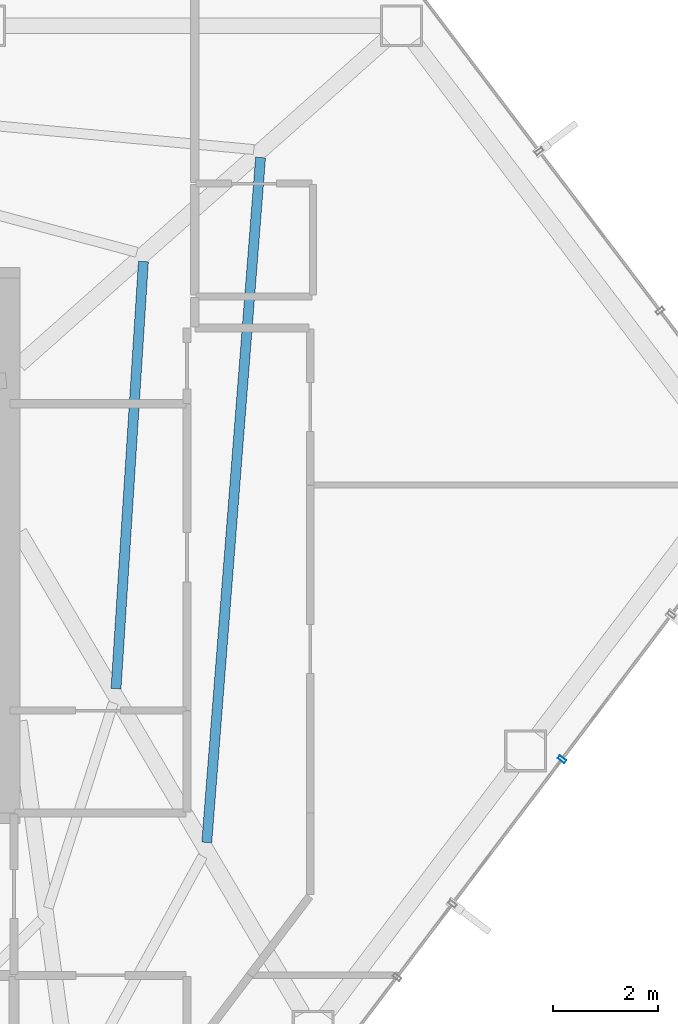
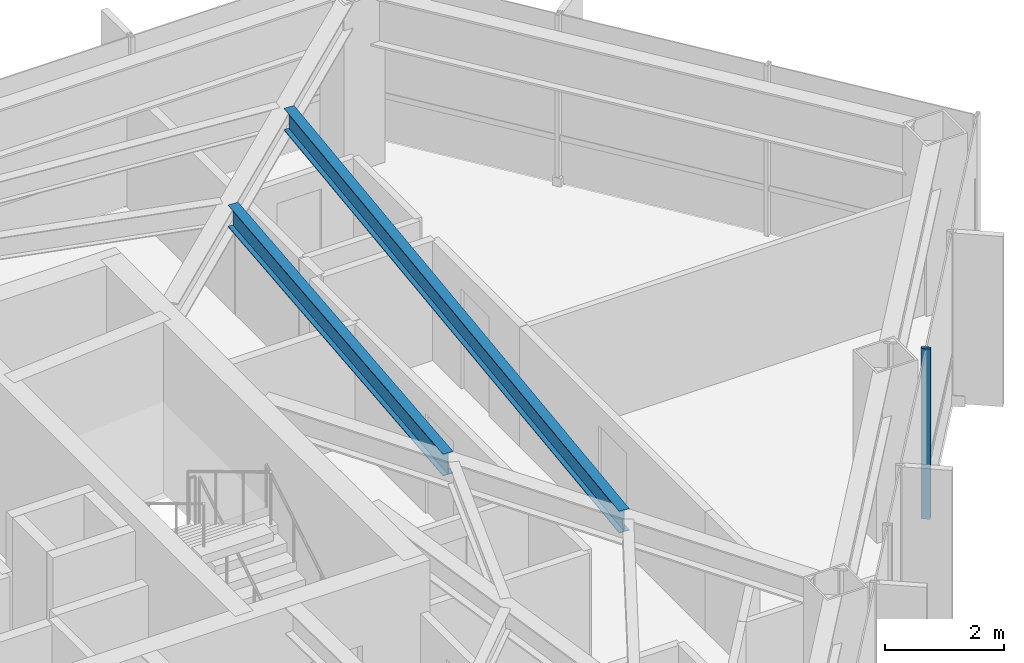
# One storey, part 20 of 28: 2 beams, 1 member, 1 element without a shape of its own.
"""IFC4 building model written with IfcOpenShell, lengths in metres."""

import ifcopenshell
import ifcopenshell.guid

model = None  # the IFC model being written
_history = None  # IfcOwnerHistory: only IFC2X3 demands one
_inside = {}  # id of a spatial element -> (the spatial element, [elements in it])
_under = {}  # id of a project, library or spatial element -> (it, [spatial elements below it])
_declared = {}  # id of a project -> (the project, [libraries it declares])
_typed = {}  # id of a type object -> (the type object, [elements of that type])
_made_of = {}  # id of a material, layer set ... -> (it, [elements and type objects made of it])


def new_model(schema):
    """Start an empty IFC model of exactly this schema.

    Asked for "IFC4X3", IfcOpenShell would pick the latest addendum, in which some entities
    have other attributes; the version numbers below select the first issue.
    IFC2X3 requires an IfcOwnerHistory on every rooted entity: one is made here for all.
    """
    global model, _history
    if schema == "IFC4X3":
        model = ifcopenshell.file(schema_version=(4, 3, 0, 0))
    else:
        model = ifcopenshell.file(schema=schema)
    _inside.clear()
    _under.clear()
    _declared.clear()
    _typed.clear()
    _made_of.clear()
    _history = None
    if model.schema == "IFC2X3":
        org = make("IfcOrganization", Name="unknown")
        user = make(
            "IfcPersonAndOrganization",
            ThePerson=make("IfcPerson", FamilyName="unknown"),
            TheOrganization=org,
        )
        app = make(
            "IfcApplication",
            ApplicationDeveloper=org,
            Version="unknown",
            ApplicationFullName="unknown",
            ApplicationIdentifier="unknown",
        )
        _history = make(
            "IfcOwnerHistory",
            OwningUser=user,
            OwningApplication=app,
            ChangeAction="ADDED",
            CreationDate=0,
        )
    return model


def make(cls, **values):
    """One entity of the class cls with the attributes given. An attribute that is None is left unset."""
    return model.create_entity(
        cls, **{name: value for name, value in values.items() if value is not None}
    )


def rooted(cls, **values):
    """An entity with a GlobalId (a new one), such as an element, a storey or a relation."""
    return make(cls, GlobalId=ifcopenshell.guid.new(), OwnerHistory=_history, **values)


def si_unit(unit_type, name, prefix=None):
    """IfcSIUnit, for example si_unit("LENGTHUNIT", "METRE", prefix="MILLI")."""
    return make("IfcSIUnit", UnitType=unit_type, Prefix=prefix, Name=name)


def assignment(units):
    """IfcUnitAssignment: the units of a project."""
    return None if units is None else make("IfcUnitAssignment", Units=units)


def point(xyz):
    """IfcCartesianPoint."""
    return None if xyz is None else make("IfcCartesianPoint", Coordinates=xyz)


def direction(xyz):
    """IfcDirection."""
    return None if xyz is None else make("IfcDirection", DirectionRatios=xyz)


def frame(location, z_axis=None, x_axis=None):
    """IfcAxis2Placement3D, a coordinate frame: its origin and axes. An axis left out is left unset."""
    return make(
        "IfcAxis2Placement3D",
        Location=point(location),
        Axis=direction(z_axis),
        RefDirection=direction(x_axis),
    )


def frame_2d(location, x_axis=None):
    """IfcAxis2Placement2D, a coordinate frame in the plane: its origin and x axis."""
    return make(
        "IfcAxis2Placement2D", Location=point(location), RefDirection=direction(x_axis)
    )


def origin():
    """The frame at (0, 0, 0) with its axes left unset."""
    return frame((0.0, 0.0, 0.0))


def origin_2d():
    """The frame at (0, 0) in the plane with its x axis left unset."""
    return frame_2d((0.0, 0.0))


def place(relative_to, where):
    """IfcLocalPlacement: puts the frame where relative to a parent placement (None: the world)."""
    return make(
        "IfcLocalPlacement", PlacementRelTo=relative_to, RelativePlacement=where
    )


def context(
    kind, dimensions, precision=None, world=None, true_north=None, identifier=None
):
    """IfcGeometricRepresentationContext, for example the 3D "Model" context."""
    return make(
        "IfcGeometricRepresentationContext",
        ContextIdentifier=identifier,
        ContextType=kind,
        CoordinateSpaceDimension=dimensions,
        Precision=precision,
        WorldCoordinateSystem=world,
        TrueNorth=true_north,
    )


def subcontext(parent, identifier, kind, view, scale=None):
    """IfcGeometricRepresentationSubContext, for example "Body" below "Model"."""
    return make(
        "IfcGeometricRepresentationSubContext",
        ContextIdentifier=identifier,
        ContextType=kind,
        ParentContext=parent,
        TargetScale=scale,
        TargetView=view,
    )


def project(units=None, contexts=None):
    """IfcProject with its units and contexts."""
    return rooted(
        "IfcProject",
        Name="project",
        RepresentationContexts=contexts,
        UnitsInContext=assignment(units),
    )


def spatial(cls, under=None, at=None, **own):
    """A site, building, storey or space (cls), placed at a placement, below another one or the project."""
    s = rooted(cls, ObjectPlacement=at, **own)
    if under is not None:
        _under.setdefault(under.id(), (under, []))[1].append(s)
    return s


def profile(cls, at=None, kind="AREA", **sizes):
    """A parametric profile (cls). Its sizes go by their IFC names, for example OverallWidth=200.0."""
    return make(cls, ProfileType=kind, Position=at, **sizes)


def hollow_rectangle(**sizes):
    """IfcRectangleHollowProfileDef."""
    return profile("IfcRectangleHollowProfileDef", **sizes)


def i_section(**sizes):
    """IfcIShapeProfileDef."""
    return profile("IfcIShapeProfileDef", **sizes)


def extrude(swept, where, along, depth):
    """IfcExtrudedAreaSolid: the profile swept, set in the frame where, extruded along a direction by depth."""
    return make(
        "IfcExtrudedAreaSolid",
        SweptArea=swept,
        Position=where,
        ExtrudedDirection=direction(along),
        Depth=depth,
    )


def shape(context_of_items, identifier, shape_type, items):
    """IfcShapeRepresentation: the items that make up one representation, for example the "Body"."""
    return make(
        "IfcShapeRepresentation",
        ContextOfItems=context_of_items,
        RepresentationIdentifier=identifier,
        RepresentationType=shape_type,
        Items=items,
    )


def material(Name=None, Category=None):
    """IfcMaterial."""
    return make("IfcMaterial", Name=Name, Category=Category)


def layer(
    of_material, thickness, ventilated=None, Name=None, Category=None, Priority=None
):
    """IfcMaterialLayer: one layer of a wall or slab, of a material (None: an air gap)."""
    return make(
        "IfcMaterialLayer",
        Material=of_material,
        LayerThickness=thickness,
        IsVentilated=ventilated,
        Name=Name,
        Category=Category,
        Priority=Priority,
    )


def layer_set(layers, Name=None):
    """IfcMaterialLayerSet."""
    return make("IfcMaterialLayerSet", MaterialLayers=layers, LayerSetName=Name)


def material_profile(
    of_material, cross_section, Name=None, Category=None, Priority=None
):
    """IfcMaterialProfile: a cross section and its material."""
    return make(
        "IfcMaterialProfile",
        Name=Name,
        Material=of_material,
        Profile=cross_section,
        Priority=Priority,
        Category=Category,
    )


def profile_set(profiles, Name=None, composite=None):
    """IfcMaterialProfileSet."""
    return make(
        "IfcMaterialProfileSet",
        Name=Name,
        MaterialProfiles=profiles,
        CompositeProfile=composite,
    )


def made_of(thing, what):
    """Note that an element or type object is made of a material, layer set ...; save() writes the relation."""
    if what is not None:
        _made_of.setdefault(what.id(), (what, []))[1].append(thing)
    return thing


def type_object(cls, material=None, **own):
    """A type object (cls), such as IfcWallType, which elements share."""
    return made_of(rooted(cls, **own), material)


def element(
    cls,
    number,
    at=None,
    inside=None,
    cuts=None,
    type_object=None,
    material=None,
    context=None,
    identifier="Body",
    shape_type=None,
    held_by="IfcProductDefinitionShape",
    body=None,
    shapes=None,
    **own,
):
    """One element of the class cls, such as IfcWall. Its Tag is "e" and its number.

    at: its placement. inside: the storey or other place that contains it. cuts: it is an
    opening in that element (IfcRelVoidsElement). A single representation is given by context,
    identifier, shape_type and body (its items); several are given by shapes. held_by: the class
    of the entity that holds the representations. save() writes the other relations.
    """
    e = rooted(cls, Tag="e%d" % number, ObjectPlacement=at, **own)
    if body is not None:
        shapes = [shape(context, identifier, shape_type, body)]
    if shapes is not None:
        e.Representation = make(held_by, Representations=shapes)
    if inside is not None:
        _inside.setdefault(inside.id(), (inside, []))[1].append(e)
    if cuts is not None:
        rooted(
            "IfcRelVoidsElement", RelatingBuildingElement=cuts, RelatedOpeningElement=e
        )
    if type_object is not None:
        _typed.setdefault(type_object.id(), (type_object, []))[1].append(e)
    return made_of(e, material)


def aggregate(whole, parts):
    """IfcRelAggregates: a whole, such as a stair, and the parts it consists of."""
    return rooted("IfcRelAggregates", RelatingObject=whole, RelatedObjects=parts)


def save(model, path):
    """Write the relations noted so far, then the file.

    IfcRelAggregates (storeys below a building ...), IfcRelContainedInSpatialStructure (elements
    in a storey), IfcRelDefinesByType, IfcRelAssociatesMaterial and IfcRelDeclares: one each for
    every whole, place, type object, material and project.
    """
    for whole, parts in _under.values():
        aggregate(whole, parts)
    for where, things in _inside.values():
        rooted(
            "IfcRelContainedInSpatialStructure",
            RelatedElements=things,
            RelatingStructure=where,
        )
    for kind, things in _typed.values():
        rooted("IfcRelDefinesByType", RelatedObjects=things, RelatingType=kind)
    for what, things in _made_of.values():
        rooted("IfcRelAssociatesMaterial", RelatedObjects=things, RelatingMaterial=what)
    for by, libraries in _declared.values():
        rooted("IfcRelDeclares", RelatingContext=by, RelatedDefinitions=libraries)
    model.write(path)


model = new_model("IFC4")

# Units and contexts
model_context = context("Model", 3, precision=1e-05, world=origin(), true_north=direction((0.0, 1.0)))
body_context = subcontext(model_context, "Body", "Model", "MODEL_VIEW")
ifc_project = project(units=[si_unit("LENGTHUNIT", "METRE"), si_unit("AREAUNIT", "SQUARE_METRE"), si_unit("VOLUMEUNIT", "CUBIC_METRE"), si_unit("PLANEANGLEUNIT", "RADIAN"), si_unit("MASSUNIT", "GRAM", prefix="KILO")], contexts=[model_context])

# Site, building, storey
site_placement = place(None, origin())
site = spatial("IfcSite", under=ifc_project, at=site_placement, CompositionType="ELEMENT")
building_placement = place(site_placement, origin())
building = spatial("IfcBuilding", under=site, at=building_placement, Name="Zarrinselat Tower", CompositionType="ELEMENT")
storey_placement = place(building_placement, frame((0.0, 0.0, 157.080078125)))
storey = spatial("IfcBuildingStorey", under=building, at=storey_placement, Name="L38", CompositionType="ELEMENT", Elevation=157.080078125)

# Beams
ifc_material_1 = material(Name="Steel S355J2", Category="steel")
ifc_material_profile_1 = material_profile(ifc_material_1, i_section(OverallWidth=0.18994140625, OverallDepth=0.449951171875, WebThickness=0.009521484375, FlangeThickness=0.0146484375, at=origin_2d()), Name="IPE 450")
ifc_profile_set_1 = profile_set([ifc_material_profile_1], Name="Steel S355J2")
beam_type = type_object("IfcBeamType", Name="BM-IPE450", PredefinedType="JOIST", material=ifc_profile_set_1)
beam_1_placement = place(storey_placement, frame((52.026611328125, 32.684814453125, 3.27490234375), z_axis=(0.078338611072, 0.996926808755, 0.0), x_axis=(-0.996926808755, 0.078338611072, 0.0)))
element("IfcBeam", 1, at=beam_1_placement, inside=storey, type_object=beam_type, Name="L38 Composite Floor Joist 4-1", PredefinedType="JOIST", context=body_context, shape_type="SweptSolid", body=[
    extrude(i_section(OverallWidth=0.18994140625, OverallDepth=0.449951171875, WebThickness=0.009521484375, FlangeThickness=0.0146484375, at=origin_2d()), origin(), (0.0, 0.0, 1.0), 13.10791015625),
])
beam_2_placement = place(storey_placement, frame((50.2958984375, 35.62060546875, 3.27490234375), z_axis=(0.063962483978, 0.997952303792, 0.0), x_axis=(-0.997952303792, 0.063962483978, 0.0)))
element("IfcBeam", 2, at=beam_2_placement, inside=storey, type_object=beam_type, Name="L38 Composite Floor Joist 4-2", PredefinedType="JOIST", context=body_context, shape_type="SweptSolid", body=[
    extrude(i_section(OverallWidth=0.18994140625, OverallDepth=0.449951171875, WebThickness=0.009521484375, FlangeThickness=0.0146484375, at=origin_2d()), origin(), (0.0, 0.0, 1.0), 8.164306640625),
])

# Curtain wall, member
ifc_material_2 = material(Name="Extruded Aluminium Alloy EN AW-6063 T6", Category="aluminium")
ifc_layer = layer(ifc_material_2, 0.175048828125)
ifc_layer_set = layer_set([ifc_layer], Name="Extruded Aluminium Alloy EN AW-6063 T6")
curtain_wall_type = type_object("IfcCurtainWallType", Name="CWS-HTL", PredefinedType="NOTDEFINED", material=ifc_layer_set)
curtain_wall_placement = place(storey_placement, origin())
curtain_wall = element("IfcCurtainWall", 3, at=curtain_wall_placement, inside=storey, type_object=curtain_wall_type, Name="L38 Unitised Curtain Wall CW-L38-E05", PredefinedType="NOTDEFINED")
ifc_material_3 = material(Name="Extruded Aluminium Alloy EN AW-6063 T6", Category="aluminium")
ifc_material_profile_2 = material_profile(ifc_material_3, hollow_rectangle(XDim=0.070068359375, YDim=0.159912109375, WallThickness=0.00390625, at=origin_2d()), Name="RHS 160x70x4")
ifc_profile_set_2 = profile_set([ifc_material_profile_2], Name="Extruded Aluminium Alloy EN AW-6063 T6")
member_type = type_object("IfcMemberType", Name="MEM-CW-MUL2", PredefinedType="MULLION", material=ifc_profile_set_2)
member_placement = place(storey_placement, frame((58.80419921875, 34.27001953125, 0.0), z_axis=(0.0, 0.0, 1.0), x_axis=(-0.603858522722, -0.797091515785, 0.0)))
member = element("IfcMember", 4, at=member_placement, type_object=member_type, Name="CW-L38-E05 Mullion 2", PredefinedType="MULLION", context=body_context, shape_type="SweptSolid", body=[
    extrude(hollow_rectangle(XDim=0.070068359375, YDim=0.159912109375, WallThickness=0.00390625, at=origin_2d()), origin(), (0.0, 0.0, 1.0), 3.5),
])
aggregate(curtain_wall, [member])

save(model, "model.ifc")
